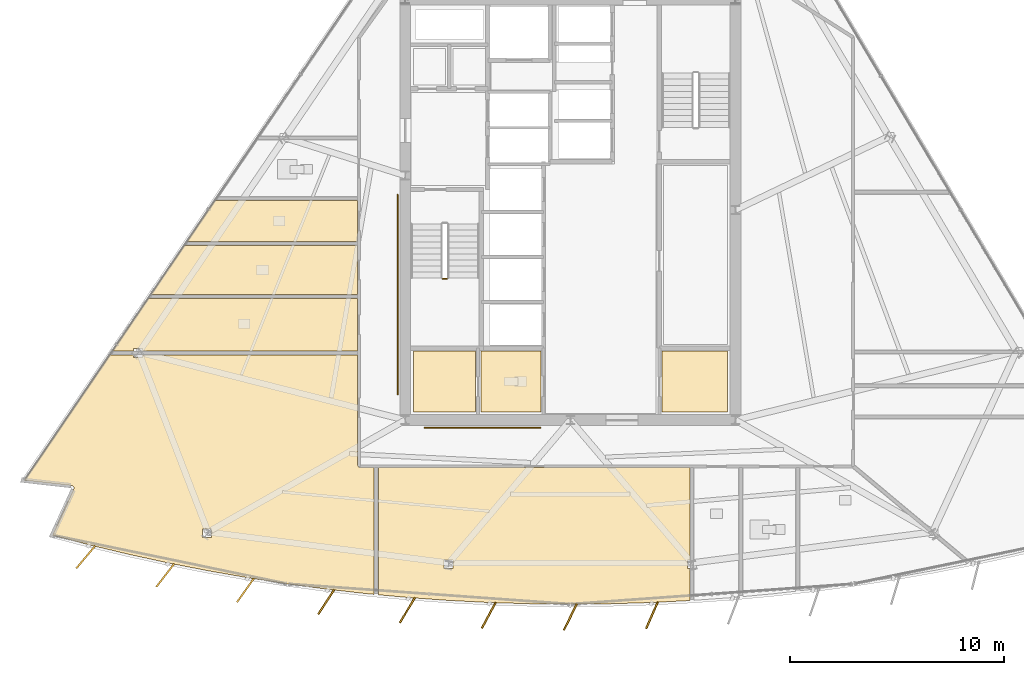
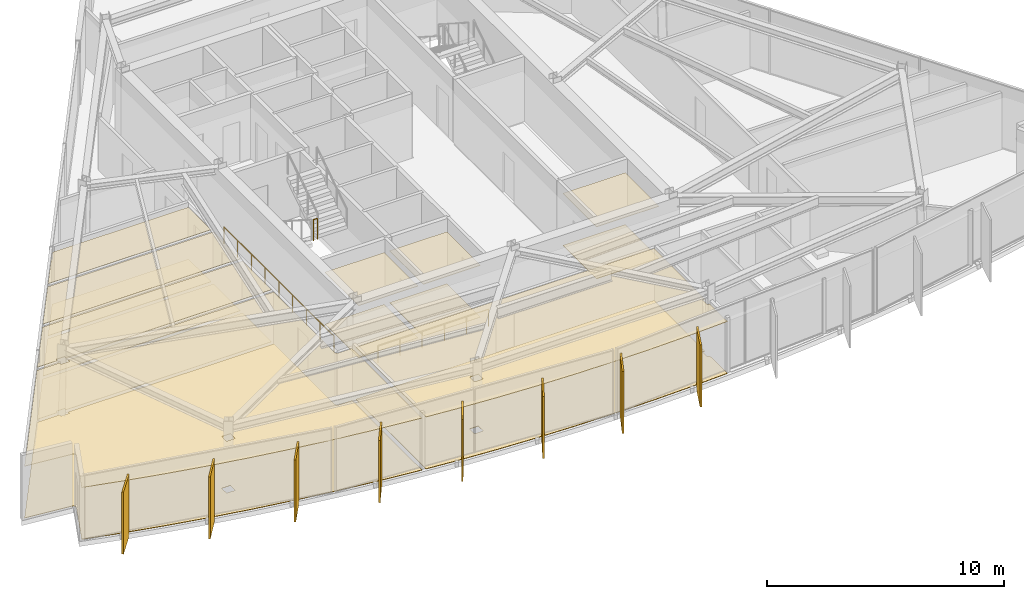
# One storey, part 11 of 15: 16 coverings, 8 shading devices, 3 railings.
"""IFC4 building model written with IfcOpenShell, lengths in metres."""

from ifc_helpers import new_model, si_unit, direction, frame, origin, origin_2d, place, context, subcontext, project, spatial, polyline, rectangle, circle, outline, extrude, material, layer, layer_set, type_object, element, save


model = new_model("IFC4")

# Units and contexts
model_context = context("Model", 3, precision=1e-05, world=origin(), true_north=direction((0.0, 1.0)))
body_context = subcontext(model_context, "Body", "Model", "MODEL_VIEW")
ifc_project = project(units=[si_unit("LENGTHUNIT", "METRE"), si_unit("AREAUNIT", "SQUARE_METRE"), si_unit("VOLUMEUNIT", "CUBIC_METRE"), si_unit("PLANEANGLEUNIT", "RADIAN"), si_unit("MASSUNIT", "GRAM", prefix="KILO")], contexts=[model_context])

# Site, building, storey
site_placement = place(None, origin())
site = spatial("IfcSite", under=ifc_project, at=site_placement, CompositionType="ELEMENT")
building_placement = place(site_placement, origin())
building = spatial("IfcBuilding", under=site, at=building_placement, Name="Savorim Split Tower", CompositionType="ELEMENT")
storey_placement = place(building_placement, frame((0.0, 0.0, 198.300048828125)))
storey = spatial("IfcBuildingStorey", under=building, at=storey_placement, Name="L52", CompositionType="ELEMENT", Elevation=198.300048828125)

# Coverings
ifc_material_1 = material(Name="Mineral Fibre Acoustic Ceiling")
ifc_layer_1 = layer(ifc_material_1, 0.02490234375)
ifc_layer_set_1 = layer_set([ifc_layer_1], Name="COV-CEIL-25")
covering_type_1 = type_object("IfcCoveringType", Name="COV-CEIL-25", PredefinedType="CEILING", material=ifc_layer_set_1)
covering_1_placement = place(storey_placement, frame((0.0, 0.0, 2.669921875)))
element("IfcCovering", 1, at=covering_1_placement, inside=storey, type_object=covering_type_1, Name="L52 Housekeeping Store Acoustic Ceiling", PredefinedType="CEILING", context=body_context, shape_type="SweptSolid", body=[
    extrude(outline(polyline([(-7.320068359375, -6.179931640625), (-7.320068359375, -9.02001953125), (-4.429931640625, -9.02001953125), (-4.429931640625, -6.179931640625), (-7.320068359375, -6.179931640625)])), origin(), (0.0, 0.0, 1.0), 0.025146484375),
])
covering_2_placement = place(storey_placement, frame((0.0, 0.0, 2.669921875)))
element("IfcCovering", 2, at=covering_2_placement, inside=storey, type_object=covering_type_1, Name="L52 Accessible WC Acoustic Ceiling", PredefinedType="CEILING", context=body_context, shape_type="SweptSolid", body=[
    extrude(outline(polyline([(-4.169921875, -6.179931640625), (-4.169921875, -9.02001953125), (-1.3798828125, -9.02001953125), (-1.3798828125, -6.179931640625), (-4.169921875, -6.179931640625)])), origin(), (0.0, 0.0, 1.0), 0.025146484375),
])
covering_3_placement = place(storey_placement, frame((0.0, 0.0, 2.669921875)))
element("IfcCovering", 3, at=covering_3_placement, inside=storey, type_object=covering_type_1, Name="L52 Core IT Server Room Acoustic Ceiling", PredefinedType="CEILING", context=body_context, shape_type="SweptSolid", body=[
    extrude(outline(polyline([(4.280029296875, -6.179931640625), (4.280029296875, -9.02001953125), (7.320068359375, -9.02001953125), (7.320068359375, -6.179931640625), (4.280029296875, -6.179931640625)])), origin(), (0.0, 0.0, 1.0), 0.025146484375),
])
covering_4_placement = place(storey_placement, frame((0.0, 0.0, 2.669921875)))
element("IfcCovering", 4, at=covering_4_placement, inside=storey, type_object=covering_type_1, Name="L52 Shared Kitchen Acoustic Ceiling", PredefinedType="CEILING", context=body_context, shape_type="SweptSolid", body=[
    extrude(outline(polyline([(-16.573486328125, 0.840087890625), (-17.879150390625, -1.0791015625), (-9.919921875, -1.0791015625), (-9.919921875, 0.840087890625), (-16.573486328125, 0.840087890625)])), origin(), (0.0, 0.0, 1.0), 0.025146484375),
])
covering_5_placement = place(storey_placement, frame((0.0, 0.0, 2.669921875)))
element("IfcCovering", 5, at=covering_5_placement, inside=storey, type_object=covering_type_1, Name="L52 Community Laundry Room Acoustic Ceiling", PredefinedType="CEILING", context=body_context, shape_type="SweptSolid", body=[
    extrude(outline(polyline([(-18.00830078125, -1.26904296875), (-19.55419921875, -3.54150390625), (-9.919921875, -3.54150390625), (-9.919921875, -1.26904296875), (-18.00830078125, -1.26904296875)])), origin(), (0.0, 0.0, 1.0), 0.025146484375),
])
covering_6_placement = place(storey_placement, frame((0.0, 0.0, 2.669921875)))
element("IfcCovering", 6, at=covering_6_placement, inside=storey, type_object=covering_type_1, Name="L52 Shared Kitchen Acoustic Ceiling", PredefinedType="CEILING", context=body_context, shape_type="SweptSolid", body=[
    extrude(outline(polyline([(-19.949462890625, -6.07080078125), (-19.949462890625, -6.179443359375), (-9.919921875, -6.179443359375), (-9.919921875, -3.7314453125), (-19.68359375, -3.7314453125), (-21.3486328125, -6.179443359375), (-20.367431640625, -6.179443359375), (-20.367431640625, -6.07080078125), (-19.949462890625, -6.07080078125)])), origin(), (0.0, 0.0, 1.0), 0.025146484375),
])
covering_7_placement = place(storey_placement, frame((0.0, 0.0, 2.669921875)))
element("IfcCovering", 7, at=covering_7_placement, inside=storey, type_object=covering_type_1, Name="L52 Maker Workshop Acoustic Ceiling", PredefinedType="CEILING", context=body_context, shape_type="SweptSolid", body=[
    extrude(outline(polyline([(-23.142822265625, -12.572998046875), (-23.143798828125, -12.5849609375), (-23.14599609375, -12.5966796875), (-23.149169921875, -12.608154296875), (-23.15380859375, -12.619384765625), (-24.1416015625, -14.769775390625), (-22.450439453125, -15.2119140625), (-20.61279296875, -15.652587890625), (-18.7666015625, -16.055419921875), (-16.912353515625, -16.420654296875), (-15.051025390625, -16.74755859375), (-13.18359375, -17.03662109375), (-11.310302734375, -17.287109375), (-9.4326171875, -17.49951171875), (-9.14453125, -17.52587890625), (-9.14453125, -11.6201171875), (-9.780029296875, -11.6201171875), (-9.793701171875, -11.619384765625), (-9.807373046875, -11.6171875), (-9.820556640625, -11.614013671875), (-9.83349609375, -11.609375), (-9.845947265625, -11.603515625), (-9.85791015625, -11.596435546875), (-9.868896484375, -11.588134765625), (-9.87890625, -11.5791015625), (-9.88818359375, -11.56884765625), (-9.896484375, -11.557861328125), (-9.903564453125, -11.5458984375), (-9.9091796875, -11.53369140625), (-9.9140625, -11.5205078125), (-9.917236328125, -11.50732421875), (-9.919189453125, -11.49365234375), (-9.919921875, -11.47998046875), (-9.919921875, -6.369384765625), (-19.949462890625, -6.369384765625), (-19.949462890625, -6.477783203125), (-20.367431640625, -6.477783203125), (-20.367431640625, -6.369384765625), (-21.352783203125, -6.369384765625), (-21.447998046875, -6.369384765625), (-21.447998046875, -6.3251953125), (-25.447509765625, -12.20458984375), (-23.24951171875, -12.449951171875), (-23.237548828125, -12.451904296875), (-23.22607421875, -12.454833984375), (-23.21484375, -12.458984375), (-23.2041015625, -12.46435546875), (-23.194091796875, -12.470703125), (-23.184814453125, -12.47802734375), (-23.176025390625, -12.486328125), (-23.168212890625, -12.495361328125), (-23.161376953125, -12.5048828125), (-23.155517578125, -12.515380859375), (-23.150634765625, -12.5263671875), (-23.14697265625, -12.53759765625), (-23.144287109375, -12.54931640625), (-23.14306640625, -12.561279296875), (-23.142822265625, -12.572998046875)]), holes=[polyline([(-17.14013671875, -14.88330078125), (-16.72216796875, -14.88330078125), (-16.72216796875, -14.476318359375), (-17.14013671875, -14.476318359375), (-17.14013671875, -14.88330078125)])]), origin(), (0.0, 0.0, 1.0), 0.025146484375),
])
covering_8_placement = place(storey_placement, frame((0.0, 0.0, 2.669921875)))
element("IfcCovering", 8, at=covering_8_placement, inside=storey, type_object=covering_type_1, Name="L52 Co-Working Commons Acoustic Ceiling", PredefinedType="CEILING", context=body_context, shape_type="SweptSolid", body=[
    extrude(outline(polyline([(5.465576171875, -15.921630859375), (5.57958984375, -15.921630859375), (5.57958984375, -11.6201171875), (-8.95458984375, -11.6201171875), (-8.95458984375, -17.543701171875), (-7.55078125, -17.673095703125), (-5.665771484375, -17.808349609375), (-3.778564453125, -17.905029296875), (-1.8896484375, -17.962890625), (0.0, -17.982421875), (1.8896484375, -17.962890625), (3.778564453125, -17.905029296875), (5.57958984375, -17.812744140625), (5.57958984375, -16.32861328125), (5.465576171875, -16.32861328125), (5.465576171875, -15.921630859375)]), holes=[polyline([(-5.883544921875, -16.32861328125), (-5.465576171875, -16.32861328125), (-5.465576171875, -15.921630859375), (-5.883544921875, -15.921630859375), (-5.883544921875, -16.32861328125)])]), origin(), (0.0, 0.0, 1.0), 0.025146484375),
])
ifc_material_2 = material(Name="Porcelain Stoneware Flooring", Category="masonry")
ifc_layer_2 = layer(ifc_material_2, 0.02001953125)
ifc_layer_set_2 = layer_set([ifc_layer_2], Name="COV-FLOR-20")
covering_type_2 = type_object("IfcCoveringType", Name="COV-FLOR-20", PredefinedType="FLOORING", material=ifc_layer_set_2)
covering_9_placement = place(storey_placement, origin())
element("IfcCovering", 9, at=covering_9_placement, inside=storey, type_object=covering_type_2, Name="L52 Housekeeping Store Porcelain Flooring", PredefinedType="FLOORING", context=body_context, shape_type="SweptSolid", body=[
    extrude(outline(polyline([(-7.320068359375, -6.179931640625), (-7.320068359375, -9.02001953125), (-4.429931640625, -9.02001953125), (-4.429931640625, -6.179931640625), (-7.320068359375, -6.179931640625)])), origin(), (0.0, 0.0, 1.0), 0.02001953125),
])
covering_10_placement = place(storey_placement, origin())
element("IfcCovering", 10, at=covering_10_placement, inside=storey, type_object=covering_type_2, Name="L52 Accessible WC Porcelain Flooring", PredefinedType="FLOORING", context=body_context, shape_type="SweptSolid", body=[
    extrude(outline(polyline([(-4.169921875, -6.179931640625), (-4.169921875, -9.02001953125), (-1.3798828125, -9.02001953125), (-1.3798828125, -6.179931640625), (-4.169921875, -6.179931640625)])), origin(), (0.0, 0.0, 1.0), 0.02001953125),
])
covering_11_placement = place(storey_placement, origin())
element("IfcCovering", 11, at=covering_11_placement, inside=storey, type_object=covering_type_2, Name="L52 Core IT Server Room Porcelain Flooring", PredefinedType="FLOORING", context=body_context, shape_type="SweptSolid", body=[
    extrude(outline(polyline([(4.280029296875, -6.179931640625), (4.280029296875, -9.02001953125), (7.320068359375, -9.02001953125), (7.320068359375, -6.179931640625), (4.280029296875, -6.179931640625)])), origin(), (0.0, 0.0, 1.0), 0.02001953125),
])
covering_12_placement = place(storey_placement, origin())
element("IfcCovering", 12, at=covering_12_placement, inside=storey, type_object=covering_type_2, Name="L52 Shared Kitchen Porcelain Flooring", PredefinedType="FLOORING", context=body_context, shape_type="SweptSolid", body=[
    extrude(outline(polyline([(-16.573486328125, 0.840087890625), (-17.879150390625, -1.0791015625), (-9.919921875, -1.0791015625), (-9.919921875, 0.840087890625), (-16.573486328125, 0.840087890625)])), origin(), (0.0, 0.0, 1.0), 0.02001953125),
])
covering_13_placement = place(storey_placement, origin())
element("IfcCovering", 13, at=covering_13_placement, inside=storey, type_object=covering_type_2, Name="L52 Community Laundry Room Porcelain Flooring", PredefinedType="FLOORING", context=body_context, shape_type="SweptSolid", body=[
    extrude(outline(polyline([(-18.00830078125, -1.26904296875), (-19.55419921875, -3.54150390625), (-9.919921875, -3.54150390625), (-9.919921875, -1.26904296875), (-18.00830078125, -1.26904296875)])), origin(), (0.0, 0.0, 1.0), 0.02001953125),
])
covering_14_placement = place(storey_placement, origin())
element("IfcCovering", 14, at=covering_14_placement, inside=storey, type_object=covering_type_2, Name="L52 Shared Kitchen Porcelain Flooring", PredefinedType="FLOORING", context=body_context, shape_type="SweptSolid", body=[
    extrude(outline(polyline([(-19.949462890625, -6.07080078125), (-19.949462890625, -6.179443359375), (-9.919921875, -6.179443359375), (-9.919921875, -3.7314453125), (-19.68359375, -3.7314453125), (-21.3486328125, -6.179443359375), (-20.367431640625, -6.179443359375), (-20.367431640625, -6.07080078125), (-19.949462890625, -6.07080078125)])), origin(), (0.0, 0.0, 1.0), 0.02001953125),
])
covering_15_placement = place(storey_placement, origin())
element("IfcCovering", 15, at=covering_15_placement, inside=storey, type_object=covering_type_2, Name="L52 Maker Workshop Porcelain Flooring", PredefinedType="FLOORING", context=body_context, shape_type="SweptSolid", body=[
    extrude(outline(polyline([(-23.142822265625, -12.572998046875), (-23.143798828125, -12.5849609375), (-23.14599609375, -12.5966796875), (-23.149169921875, -12.608154296875), (-23.15380859375, -12.619384765625), (-24.1416015625, -14.769775390625), (-22.450439453125, -15.2119140625), (-20.61279296875, -15.652587890625), (-18.7666015625, -16.055419921875), (-16.912353515625, -16.420654296875), (-15.051025390625, -16.74755859375), (-13.18359375, -17.03662109375), (-11.310302734375, -17.287109375), (-9.4326171875, -17.49951171875), (-9.14453125, -17.52587890625), (-9.14453125, -11.6201171875), (-9.780029296875, -11.6201171875), (-9.793701171875, -11.619384765625), (-9.807373046875, -11.6171875), (-9.820556640625, -11.614013671875), (-9.83349609375, -11.609375), (-9.845947265625, -11.603515625), (-9.85791015625, -11.596435546875), (-9.868896484375, -11.588134765625), (-9.87890625, -11.5791015625), (-9.88818359375, -11.56884765625), (-9.896484375, -11.557861328125), (-9.903564453125, -11.5458984375), (-9.9091796875, -11.53369140625), (-9.9140625, -11.5205078125), (-9.917236328125, -11.50732421875), (-9.919189453125, -11.49365234375), (-9.919921875, -11.47998046875), (-9.919921875, -6.369384765625), (-19.949462890625, -6.369384765625), (-19.949462890625, -6.477783203125), (-20.367431640625, -6.477783203125), (-20.367431640625, -6.369384765625), (-21.352783203125, -6.369384765625), (-21.447998046875, -6.369384765625), (-21.447998046875, -6.3251953125), (-25.447509765625, -12.20458984375), (-23.24951171875, -12.449951171875), (-23.237548828125, -12.451904296875), (-23.22607421875, -12.454833984375), (-23.21484375, -12.458984375), (-23.2041015625, -12.46435546875), (-23.194091796875, -12.470703125), (-23.184814453125, -12.47802734375), (-23.176025390625, -12.486328125), (-23.168212890625, -12.495361328125), (-23.161376953125, -12.5048828125), (-23.155517578125, -12.515380859375), (-23.150634765625, -12.5263671875), (-23.14697265625, -12.53759765625), (-23.144287109375, -12.54931640625), (-23.14306640625, -12.561279296875), (-23.142822265625, -12.572998046875)]), holes=[polyline([(-17.14013671875, -14.88330078125), (-16.72216796875, -14.88330078125), (-16.72216796875, -14.476318359375), (-17.14013671875, -14.476318359375), (-17.14013671875, -14.88330078125)])]), origin(), (0.0, 0.0, 1.0), 0.02001953125),
])
covering_16_placement = place(storey_placement, origin())
element("IfcCovering", 16, at=covering_16_placement, inside=storey, type_object=covering_type_2, Name="L52 Co-Working Commons Porcelain Flooring", PredefinedType="FLOORING", context=body_context, shape_type="SweptSolid", body=[
    extrude(outline(polyline([(5.465576171875, -15.921630859375), (5.57958984375, -15.921630859375), (5.57958984375, -11.6201171875), (-8.95458984375, -11.6201171875), (-8.95458984375, -17.543701171875), (-7.55078125, -17.673095703125), (-5.665771484375, -17.808349609375), (-3.778564453125, -17.905029296875), (-1.8896484375, -17.962890625), (0.0, -17.982421875), (1.8896484375, -17.962890625), (3.778564453125, -17.905029296875), (5.57958984375, -17.812744140625), (5.57958984375, -16.32861328125), (5.465576171875, -16.32861328125), (5.465576171875, -15.921630859375)]), holes=[polyline([(-5.883544921875, -16.32861328125), (-5.465576171875, -16.32861328125), (-5.465576171875, -15.921630859375), (-5.883544921875, -15.921630859375), (-5.883544921875, -16.32861328125)])]), origin(), (0.0, 0.0, 1.0), 0.02001953125),
])

# Railings
ifc_material_3 = material(Name="Galvanised Painted Steel Balustrade", Category="steel")
railing_type_1 = type_object("IfcRailingType", Name="RLG-HR-900", PredefinedType="HANDRAIL", material=ifc_material_3)
railing_1_placement = place(storey_placement, frame((-6.800048828125, -9.75, 0.0)))
element("IfcRailing", 17, at=railing_1_placement, inside=storey, type_object=railing_type_1, Name="L52 Corridor South Accessible Handrail", PredefinedType="HANDRAIL", context=body_context, shape_type="SweptSolid", body=[
    extrude(circle(Radius=0.02392578125, at=origin_2d()), frame((0.0, 0.0, 0.8759765625), z_axis=(1.0, 0.0, 0.0), x_axis=(0.0, 1.0, 0.0)), (0.0, 0.0, 1.0), 5.400146484375),
    extrude(circle(Radius=0.02099609375, at=origin_2d()), origin(), (0.0, 0.0, 1.0), 0.851806640625),
    extrude(circle(Radius=0.02099609375, at=origin_2d()), frame((1.080078125, 0.0, 0.0)), (0.0, 0.0, 1.0), 0.851806640625),
    extrude(circle(Radius=0.02099609375, at=origin_2d()), frame((2.16015625, 0.0, 0.0)), (0.0, 0.0, 1.0), 0.851806640625),
    extrude(circle(Radius=0.02099609375, at=origin_2d()), frame((3.239990234375, 0.0, 0.0)), (0.0, 0.0, 1.0), 0.851806640625),
    extrude(circle(Radius=0.02099609375, at=origin_2d()), frame((4.320068359375, 0.0, 0.0)), (0.0, 0.0, 1.0), 0.851806640625),
    extrude(circle(Radius=0.02099609375, at=origin_2d()), frame((5.400146484375, 0.0, 0.0)), (0.0, 0.0, 1.0), 0.851806640625),
])
railing_2_placement = place(storey_placement, frame((-8.050048828125, -8.199951171875, 0.0)))
element("IfcRailing", 18, at=railing_2_placement, inside=storey, type_object=railing_type_1, Name="L52 Corridor West Accessible Handrail", PredefinedType="HANDRAIL", context=body_context, shape_type="SweptSolid", body=[
    extrude(circle(Radius=0.02392578125, at=origin_2d()), frame((0.0, 0.0, 0.8759765625), z_axis=(0.0, 1.0, 0.0), x_axis=(-1.0, 0.0, 0.0)), (0.0, 0.0, 1.0), 9.300048828125),
    extrude(circle(Radius=0.02099609375, at=origin_2d()), origin(), (0.0, 0.0, 1.0), 0.851806640625),
    extrude(circle(Radius=0.02099609375, at=origin_2d()), frame((0.0, 1.16259765625, 0.0)), (0.0, 0.0, 1.0), 0.851806640625),
    extrude(circle(Radius=0.02099609375, at=origin_2d()), frame((0.0, 2.324951171875, 0.0)), (0.0, 0.0, 1.0), 0.851806640625),
    extrude(circle(Radius=0.02099609375, at=origin_2d()), frame((0.0, 3.487548828125, 0.0)), (0.0, 0.0, 1.0), 0.851806640625),
    extrude(circle(Radius=0.02099609375, at=origin_2d()), frame((0.0, 4.64990234375, 0.0)), (0.0, 0.0, 1.0), 0.851806640625),
    extrude(circle(Radius=0.02099609375, at=origin_2d()), frame((0.0, 5.8125, 0.0)), (0.0, 0.0, 1.0), 0.851806640625),
    extrude(circle(Radius=0.02099609375, at=origin_2d()), frame((0.0, 6.97509765625, 0.0)), (0.0, 0.0, 1.0), 0.851806640625),
    extrude(circle(Radius=0.02099609375, at=origin_2d()), frame((0.0, 8.137451171875, 0.0)), (0.0, 0.0, 1.0), 0.851806640625),
    extrude(circle(Radius=0.02099609375, at=origin_2d()), frame((0.0, 9.300048828125, 0.0)), (0.0, 0.0, 1.0), 0.851806640625),
])
railing_type_2 = type_object("IfcRailingType", Name="RLG-STG-1100", PredefinedType="BALUSTRADE", material=ifc_material_3)
railing_3_placement = place(storey_placement, frame((-5.949951171875, -2.820068359375, 1.800048828125)))
element("IfcRailing", 19, at=railing_3_placement, inside=storey, type_object=railing_type_2, Name="L52 ST-1 stair guard 2", PredefinedType="BALUSTRADE", context=body_context, shape_type="SweptSolid", body=[
    extrude(circle(Radius=0.02392578125, at=origin_2d()), frame((0.0, 0.0, 1.076171875), z_axis=(1.0, 0.0, 0.0), x_axis=(0.0, 1.0, 0.0)), (0.0, 0.0, 1.0), 0.199951171875),
    extrude(circle(Radius=0.02099609375, at=origin_2d()), origin(), (0.0, 0.0, 1.0), 1.052001953125),
    extrude(circle(Radius=0.02099609375, at=origin_2d()), frame((0.199951171875, 0.0, 0.0)), (0.0, 0.0, 1.0), 1.052001953125),
])

# Shading devices
ifc_material_4 = material(Name="Terracotta Ceramic-Coated Aluminium Fin", Category="masonry")
shading_device_type = type_object("IfcShadingDeviceType", Name="SHD-FIN-1360", PredefinedType="USERDEFINED", material=ifc_material_4)
for number, where, z_axis, x_axis, name in (
    (20, (-22.595458984375, -15.7900390625, -0.2001953125), (0.0, 0.0, 1.0), (-0.643719022682, -0.765261928909, 0.0), "L52 Sawtooth Shading Fin 01"),
    (21, (-18.8876953125, -16.63916015625, -0.2001953125), (0.0, 0.0, 1.0), (-0.611868076908, -0.790959832394, 0.0), "L52 Sawtooth Shading Fin 02"),
    (22, (-15.148193359375, -17.335693359375, -0.2001953125), (0.0, 0.0, 1.0), (-0.578993757737, -0.815331974414, 0.0), "L52 Sawtooth Shading Fin 03"),
    (23, (-11.38330078125, -17.878662109375, -0.2001953125), (0.0, 0.0, 1.0), (-0.545148321708, -0.838339613366, 0.0), "L52 Sawtooth Shading Fin 04"),
    (24, (-7.599609375, -18.26708984375, -0.2001953125), (0.0, 0.0, 1.0), (-0.510391336723, -0.859942255851, 0.0), "L52 Sawtooth Shading Fin 05"),
    (25, (-3.802978515625, -18.50048828125, -0.2001953125), (0.0, 0.0, 1.0), (-0.474778051978, -0.880105562623, 0.0), "L52 Sawtooth Shading Fin 06"),
    (26, (0.0, -18.578369140625, -0.2001953125), (0.0, 0.0, 1.0), (-0.438371146789, -0.898794046299, 0.0), "L52 Sawtooth Shading Fin 07"),
    (27, (3.802978515625, -18.50048828125, -0.2001953125), (0.0, 0.0, 1.0), (-0.401230091723, -0.915977299662, 0.0), "L52 Sawtooth Shading Fin 08"),
):
    element("IfcShadingDevice", number, at=place(storey_placement, frame(where, z_axis=z_axis, x_axis=x_axis)), inside=storey, type_object=shading_device_type, Name=name, ObjectType="FIN", PredefinedType="USERDEFINED", context=body_context, shape_type="SweptSolid", body=[
        extrude(rectangle(XDim=1.360107421875, YDim=0.080078125, at=origin_2d()), origin(), (0.0, 0.0, 1.0), 3.199951171875),
    ])

save(model, "model.ifc")
